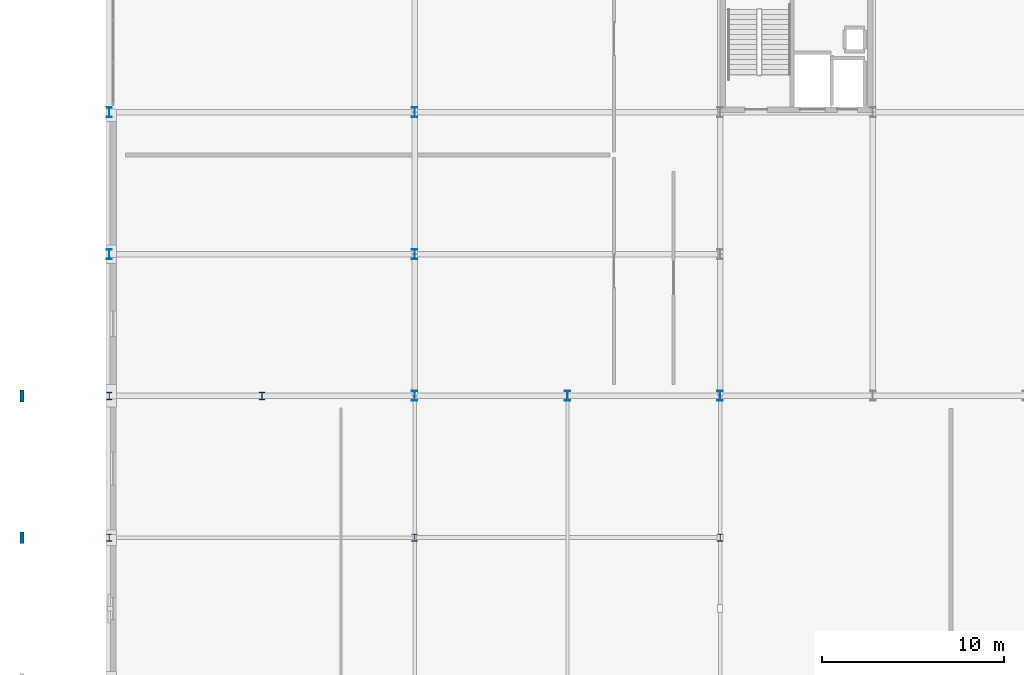
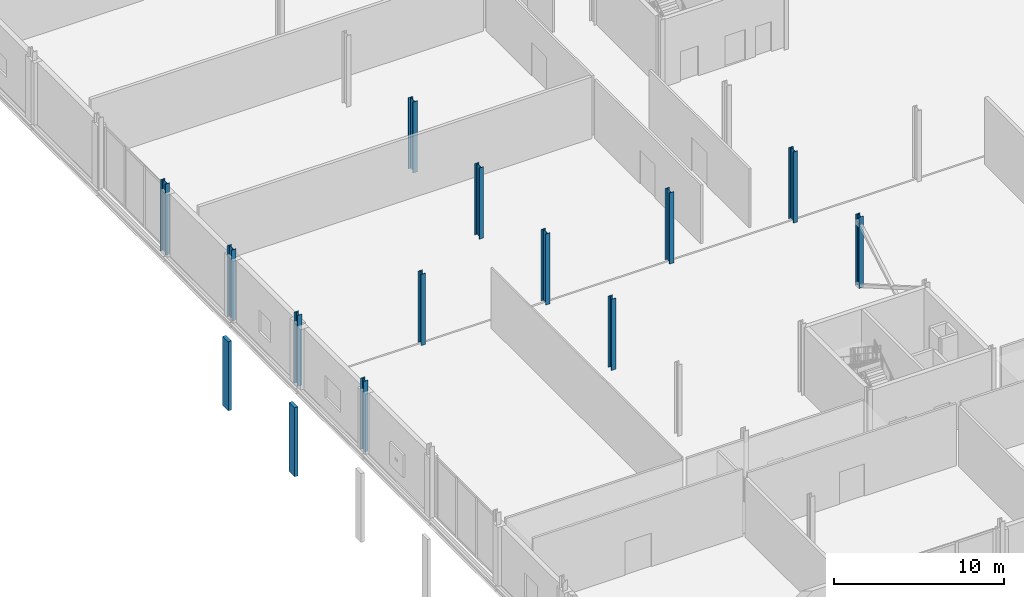
# One storey, part 3 of 105: 14 columns.
"""IFC4 building model written with IfcOpenShell, lengths in metres."""

from ifc_helpers import new_model, si_unit, direction, frame, origin, origin_2d, place, context, subcontext, project, spatial, rectangle, i_section, extrude, material, material_profile, profile_set, type_object, element, save


model = new_model("IFC4")

# Units and contexts
model_context = context("Model", 3, precision=1e-05, world=origin(), true_north=direction((0.0, 1.0)))
body_context = subcontext(model_context, "Body", "Model", "MODEL_VIEW")
ifc_project = project(units=[si_unit("LENGTHUNIT", "METRE"), si_unit("AREAUNIT", "SQUARE_METRE"), si_unit("VOLUMEUNIT", "CUBIC_METRE"), si_unit("PLANEANGLEUNIT", "RADIAN"), si_unit("MASSUNIT", "GRAM", prefix="KILO")], contexts=[model_context])

# Site, building, storey
site_placement = place(None, origin())
site = spatial("IfcSite", under=ifc_project, at=site_placement, CompositionType="ELEMENT")
building_placement = place(site_placement, origin())
building = spatial("IfcBuilding", under=site, at=building_placement, Name="Nabrawat Pavilion Hospital", CompositionType="ELEMENT")
storey_placement = place(building_placement, frame((0.0, 0.0, 5.10009765625)))
storey = spatial("IfcBuildingStorey", under=building, at=storey_placement, Name="L01", CompositionType="ELEMENT", Elevation=5.10009765625)

# Columns
ifc_material_1 = material(Name="Precast concrete C40/50", Category="concrete")
ifc_material_profile_1 = material_profile(ifc_material_1, rectangle(XDim=0.219970703125, YDim=0.64990234375, at=origin_2d()), Name="PC 220x650")
ifc_profile_set_1 = profile_set([ifc_material_profile_1], Name="Precast concrete C40/50")
column_type_1 = type_object("IfcColumnType", Name="Ambulance Canopy Precast Pilaster 220x650", PredefinedType="PILASTER", material=ifc_profile_set_1)
for number, where, z_axis, x_axis, name in (
    (1, (-4.800048828125, 31.199951171875, 0.0), (0.0, 0.0, 1.0), (1.0, 0.0, 0.0), "L01 Colonnade Precast Pilaster PIL-W-E"),
    (2, (-4.800048828125, 39.0, 0.0), (0.0, 0.0, 1.0), (1.0, 0.0, 0.0), "L01 Colonnade Precast Pilaster PIL-W-F1"),
):
    element("IfcColumn", number, at=place(storey_placement, frame(where, z_axis=z_axis, x_axis=x_axis)), inside=storey, type_object=column_type_1, Name=name, PredefinedType="PILASTER", context=body_context, shape_type="SweptSolid", body=[
        extrude(rectangle(XDim=0.219970703125, YDim=0.64990234375, at=origin_2d()), origin(), (0.0, 0.0, 1.0), 4.949951171875),
    ])
ifc_material_2 = material(Name="Steel S355", Category="steel")
ifc_material_profile_2 = material_profile(ifc_material_2, i_section(OverallWidth=0.300048828125, OverallDepth=0.39990234375, WebThickness=0.013427734375, FlangeThickness=0.02392578125, FilletRadius=0.027099609375, at=origin_2d()), Name="HEB 400")
ifc_profile_set_2 = profile_set([ifc_material_profile_2], Name="Steel S355")
column_type_2 = type_object("IfcColumnType", Name="Composite Steel Column HEB 400", PredefinedType="COLUMN", material=ifc_profile_set_2)
for number, where, z_axis, x_axis, name in (
    (3, (0.0, 31.199951171875, 0.0), (0.0, 0.0, 1.0), (1.0, 0.0, 0.0), "L01 Structural Column G-1-E"),
    (4, (0.0, 39.0, 0.0), (0.0, 0.0, 1.0), (1.0, 0.0, 0.0), "L01 Structural Column G-1-F1"),
    (5, (8.39990234375, 39.0, 0.0), (0.0, 0.0, 1.0), (1.0, 0.0, 0.0), "L01 Structural Column G-2-F1"),
    (6, (16.800048828125, 31.199951171875, 0.0), (0.0, 0.0, 1.0), (1.0, 0.0, 0.0), "L01 Structural Column G-3-E"),
    (7, (33.60009765625, 31.199951171875, 0.0), (0.0, 0.0, 1.0), (1.0, 0.0, 0.0), "L01 Structural Column G-5-E"),
):
    element("IfcColumn", number, at=place(storey_placement, frame(where, z_axis=z_axis, x_axis=x_axis)), inside=storey, type_object=column_type_2, Name=name, PredefinedType="COLUMN", context=body_context, shape_type="SweptSolid", body=[
        extrude(i_section(OverallWidth=0.300048828125, OverallDepth=0.39990234375, WebThickness=0.013427734375, FlangeThickness=0.02392578125, FilletRadius=0.027099609375, at=origin_2d()), origin(), (0.0, 0.0, 1.0), 5.099853515625),
    ])
ifc_material_profile_3 = material_profile(ifc_material_2, i_section(OverallWidth=0.300048828125, OverallDepth=0.550048828125, WebThickness=0.014892578125, FlangeThickness=0.029052734375, FilletRadius=0.027099609375, at=origin_2d()), Name="HEB 550")
ifc_profile_set_3 = profile_set([ifc_material_profile_3], Name="Steel S355")
column_type_3 = type_object("IfcColumnType", Name="Composite Steel Column HEB 550", PredefinedType="COLUMN", material=ifc_profile_set_3)
for number, where, z_axis, x_axis, name in (
    (8, (0.0, 46.800048828125, 0.0), (0.0, 0.0, 1.0), (1.0, 0.0, 0.0), "L01 Structural Column G-1-G"),
    (9, (0.0, 54.60009765625, 0.0), (0.0, 0.0, 1.0), (1.0, 0.0, 0.0), "L01 Structural Column G-1-H"),
    (10, (16.800048828125, 39.0, 0.0), (0.0, 0.0, 1.0), (1.0, 0.0, 0.0), "L01 Structural Column G-3-F1"),
    (11, (16.800048828125, 46.800048828125, 0.0), (0.0, 0.0, 1.0), (1.0, 0.0, 0.0), "L01 Structural Column G-3-G"),
    (12, (16.800048828125, 54.60009765625, 0.0), (0.0, 0.0, 1.0), (1.0, 0.0, 0.0), "L01 Structural Column G-3-H"),
    (13, (25.199951171875, 39.0, 0.0), (0.0, 0.0, 1.0), (1.0, 0.0, 0.0), "L01 Structural Column G-4-F1"),
    (14, (33.60009765625, 39.0, 0.0), (0.0, 0.0, 1.0), (1.0, 0.0, 0.0), "L01 Structural Column G-5-F1"),
):
    element("IfcColumn", number, at=place(storey_placement, frame(where, z_axis=z_axis, x_axis=x_axis)), inside=storey, type_object=column_type_3, Name=name, PredefinedType="COLUMN", context=body_context, shape_type="SweptSolid", body=[
        extrude(i_section(OverallWidth=0.300048828125, OverallDepth=0.550048828125, WebThickness=0.014892578125, FlangeThickness=0.029052734375, FilletRadius=0.027099609375, at=origin_2d()), origin(), (0.0, 0.0, 1.0), 5.099853515625),
    ])

save(model, "model.ifc")
